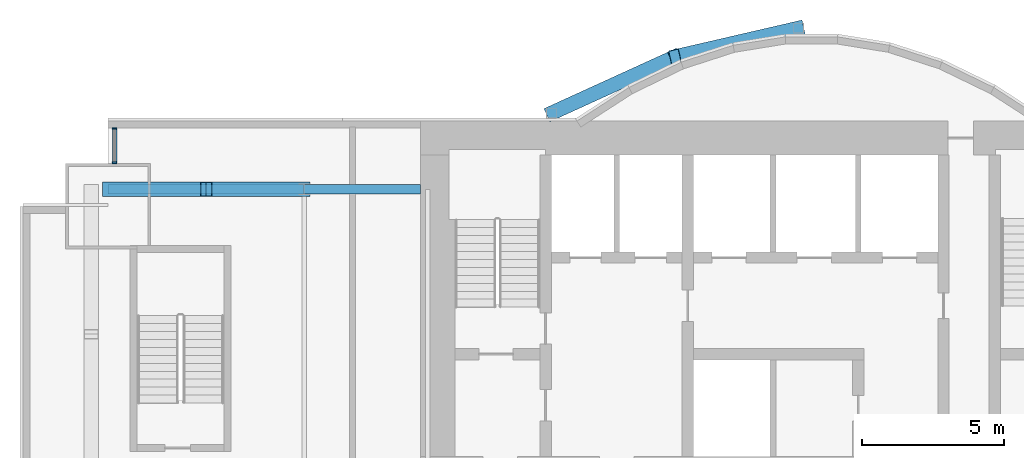
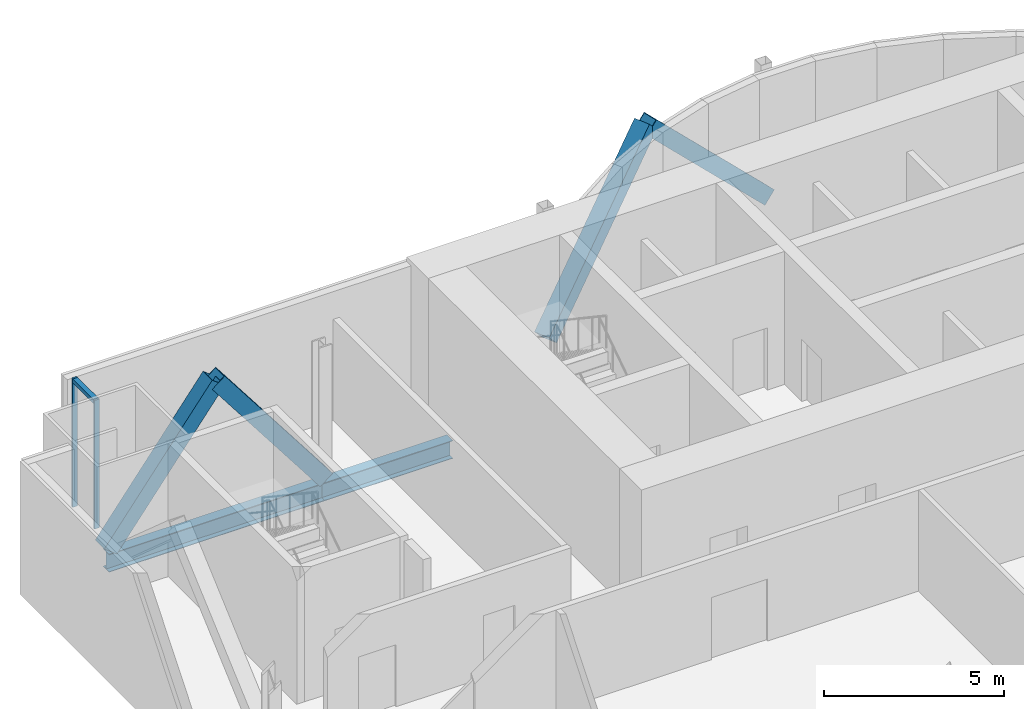
# One storey, part 10 of 21: 7 members, 2 beams, 1 element without a shape of its own.
"""IFC4 building model written with IfcOpenShell, lengths in metres."""

from ifc_helpers import new_model, si_unit, direction, frame, origin, origin_2d, place, context, subcontext, project, spatial, rectangle, hollow_rectangle, i_section, extrude, material, material_profile, profile_set, type_object, element, aggregate, save


model = new_model("IFC4")

# Units and contexts
model_context = context("Model", 3, precision=1e-05, world=origin(), true_north=direction((0.0, 1.0)))
body_context = subcontext(model_context, "Body", "Model", "MODEL_VIEW")
ifc_project = project(units=[si_unit("LENGTHUNIT", "METRE"), si_unit("AREAUNIT", "SQUARE_METRE"), si_unit("VOLUMEUNIT", "CUBIC_METRE"), si_unit("PLANEANGLEUNIT", "RADIAN"), si_unit("MASSUNIT", "GRAM", prefix="KILO")], contexts=[model_context])

# Site, building, storey
site_placement = place(None, origin())
site = spatial("IfcSite", under=ifc_project, at=site_placement, CompositionType="ELEMENT")
building_placement = place(site_placement, origin())
building = spatial("IfcBuilding", under=site, at=building_placement, Name="Bicima Exchange Tower", CompositionType="ELEMENT")
storey_placement = place(building_placement, frame((0.0, 0.0, 57.5)))
storey = spatial("IfcBuildingStorey", under=building, at=storey_placement, Name="L11", CompositionType="ELEMENT", Elevation=57.5)

# Curtain wall, members
ifc_material_1 = material(Name="Anodised bronze aluminium", Category="aluminium")
curtain_wall_type = type_object("IfcCurtainWallType", Name="Front glass wall", PredefinedType="NOTDEFINED", material=ifc_material_1)
curtain_wall_placement = place(storey_placement, origin())
curtain_wall = element("IfcCurtainWall", 1, at=curtain_wall_placement, inside=storey, type_object=curtain_wall_type, Name="Front glass wall L11 run 1", PredefinedType="NOTDEFINED")
ifc_material_profile_1 = material_profile(ifc_material_1, rectangle(XDim=0.159912109375, YDim=0.06005859375, at=origin_2d()))
ifc_profile_set_1 = profile_set([ifc_material_profile_1], Name="Anodised bronze aluminium")
member_type_1 = type_object("IfcMemberType", Name="Front glass wall mullion 60 x 160", PredefinedType="MULLION", material=ifc_profile_set_1)
member_1_placement = place(storey_placement, frame((-32.77001953125, -0.260009765625, 0.0), z_axis=(0.0, 0.0, 1.0), x_axis=(1.0, 0.0, 0.0)))
member_1 = element("IfcMember", 2, at=member_1_placement, type_object=member_type_1, Name="Front glass wall mullion 1", PredefinedType="MULLION", context=body_context, shape_type="SweptSolid", body=[
    extrude(rectangle(XDim=0.159912109375, YDim=0.06005859375, at=origin_2d()), origin(), (0.0, 0.0, 1.0), 4.35009765625),
])
member_2_placement = place(storey_placement, frame((-32.77001953125, -1.469970703125, 0.0), z_axis=(0.0, 0.0, 1.0), x_axis=(1.0, 0.0, 0.0)))
member_2 = element("IfcMember", 3, at=member_2_placement, type_object=member_type_1, Name="Front glass wall mullion 2", PredefinedType="MULLION", context=body_context, shape_type="SweptSolid", body=[
    extrude(rectangle(XDim=0.159912109375, YDim=0.06005859375, at=origin_2d()), origin(), (0.0, 0.0, 1.0), 4.35009765625),
])
ifc_material_profile_2 = material_profile(ifc_material_1, rectangle(XDim=0.159912109375, YDim=0.139892578125, at=origin_2d()))
ifc_profile_set_2 = profile_set([ifc_material_profile_2], Name="Anodised bronze aluminium")
member_type_2 = type_object("IfcMemberType", Name="Front glass wall transom 140 x 160", PredefinedType="USERDEFINED", material=ifc_profile_set_2)
member_3_placement = place(storey_placement, frame((-32.77001953125, -0.2900390625, 4.280029296875), z_axis=(0.0, -1.0, 0.0), x_axis=(1.0, 0.0, 0.0)))
member_3 = element("IfcMember", 4, at=member_3_placement, type_object=member_type_2, Name="Front glass wall transom 1.1", ObjectType="TRANSOM", PredefinedType="USERDEFINED", context=body_context, shape_type="SweptSolid", body=[
    extrude(rectangle(XDim=0.159912109375, YDim=0.139892578125, at=origin_2d()), origin(), (0.0, 0.0, 1.0), 1.14990234375),
])
aggregate(curtain_wall, [member_1, member_2, member_3])

# Members
ifc_material_2 = material(Name="Steel ASTM A572 Gr 50", Category="steel")
ifc_material_profile_3 = material_profile(ifc_material_2, hollow_rectangle(XDim=0.508056640625, YDim=0.508056640625, WallThickness=0.017822265625, at=origin_2d()))
ifc_profile_set_3 = profile_set([ifc_material_profile_3], Name="Steel ASTM A572 Gr 50")
member_type_3 = type_object("IfcMemberType", Name="Mega brace HSS20x20x3/4", PredefinedType="BRACE", material=ifc_profile_set_3)
member_4_placement = place(storey_placement, frame((-17.39990234375, 0.278076171875, 0.0), z_axis=(0.662507516739, 0.302231638101, 0.685375683254), x_axis=(-0.415045223819, 0.909800781592, 0.0)))
element("IfcMember", 5, at=member_4_placement, inside=storey, type_object=member_type_3, Name="Mega brace rexo", PredefinedType="BRACE", context=body_context, shape_type="SweptSolid", body=[
    extrude(hollow_rectangle(XDim=0.508056640625, YDim=0.508056640625, WallThickness=0.017822265625, at=origin_2d()), origin(), (0.0, 0.0, 1.0), 6.565673828125),
])
member_5_placement = place(storey_placement, frame((-8.699951171875, 3.26904296875, 0.0), z_axis=(-0.686212303743, -0.158786245837, 0.709858860848), x_axis=(0.225438503722, -0.974257399787, 0.0)))
element("IfcMember", 6, at=member_5_placement, inside=storey, type_object=member_type_3, Name="Mega brace rexo", PredefinedType="BRACE", context=body_context, shape_type="SweptSolid", body=[
    extrude(hollow_rectangle(XDim=0.508056640625, YDim=0.508056640625, WallThickness=0.017822265625, at=origin_2d()), origin(), (0.0, 0.0, 1.0), 6.33935546875),
])
for number, where, z_axis, x_axis, name in (
    (7, (-33.0, -2.39990234375, 0.0), (0.608426120198, 0.0, 0.793610519248), (0.0, 1.0, 0.0), "Mega brace rear"),
    (8, (-26.10009765625, -2.39990234375, 0.0), (-0.608426120198, 0.0, 0.793610519248), (0.0, -1.0, 0.0), "Mega brace rear"),
):
    element("IfcMember", number, at=place(storey_placement, frame(where, z_axis=z_axis, x_axis=x_axis)), inside=storey, type_object=member_type_3, Name=name, PredefinedType="BRACE", context=body_context, shape_type="SweptSolid", body=[
        extrude(hollow_rectangle(XDim=0.508056640625, YDim=0.508056640625, WallThickness=0.017822265625, at=origin_2d()), origin(), (0.0, 0.0, 1.0), 5.670166015625),
    ])

# Beams
ifc_material_3 = material(Name="Steel ASTM A992 Gr 50", Category="steel")
ifc_material_profile_4 = material_profile(ifc_material_3, i_section(OverallWidth=0.3251953125, OverallDepth=0.612060546875, WebThickness=0.0126953125, FlangeThickness=0.01904296875, at=origin_2d()))
ifc_profile_set_4 = profile_set([ifc_material_profile_4], Name="Steel ASTM A992 Gr 50")
beam_type = type_object("IfcBeamType", Name="Rear girder W24x104", PredefinedType="BEAM", material=ifc_profile_set_4)
beam_1_placement = place(storey_placement, frame((-22.0, -2.39990234375, -0.4560546875), z_axis=(-1.0, 0.0, 0.0), x_axis=(0.0, -1.0, 0.0)))
element("IfcBeam", 9, at=beam_1_placement, inside=storey, type_object=beam_type, Name="Rear girder", PredefinedType="BEAM", context=body_context, shape_type="SweptSolid", body=[
    extrude(i_section(OverallWidth=0.3251953125, OverallDepth=0.612060546875, WebThickness=0.0126953125, FlangeThickness=0.01904296875, at=origin_2d()), origin(), (0.0, 0.0, 1.0), 4.10009765625),
])
beam_2_placement = place(storey_placement, frame((-26.10009765625, -2.39990234375, -0.4560546875), z_axis=(-1.0, 0.0, 0.0), x_axis=(0.0, -1.0, 0.0)))
element("IfcBeam", 10, at=beam_2_placement, inside=storey, type_object=beam_type, Name="Rear girder", PredefinedType="BEAM", context=body_context, shape_type="SweptSolid", body=[
    extrude(i_section(OverallWidth=0.3251953125, OverallDepth=0.612060546875, WebThickness=0.0126953125, FlangeThickness=0.01904296875, at=origin_2d()), origin(), (0.0, 0.0, 1.0), 6.89990234375),
])

save(model, "model.ifc")
